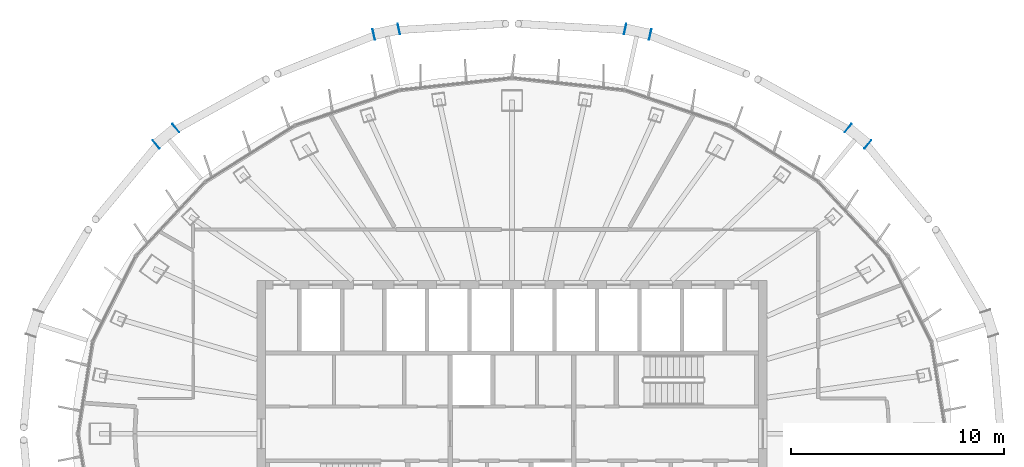
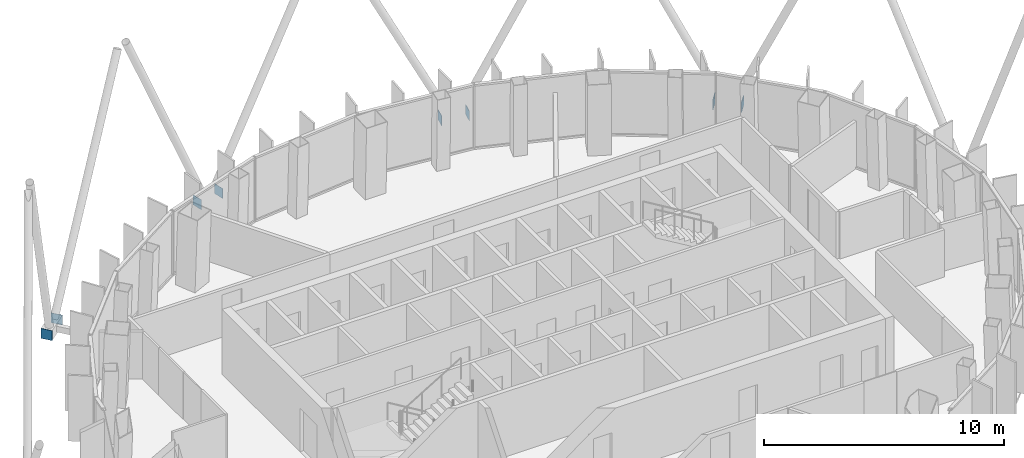
# One storey, part 15 of 18: 8 discrete accessories.
"""IFC4 building model written with IfcOpenShell, lengths in metres."""

import ifcopenshell
import ifcopenshell.guid

model = None  # the IFC model being written
_history = None  # IfcOwnerHistory: only IFC2X3 demands one
_inside = {}  # id of a spatial element -> (the spatial element, [elements in it])
_under = {}  # id of a project, library or spatial element -> (it, [spatial elements below it])
_declared = {}  # id of a project -> (the project, [libraries it declares])
_typed = {}  # id of a type object -> (the type object, [elements of that type])
_made_of = {}  # id of a material, layer set ... -> (it, [elements and type objects made of it])


def new_model(schema):
    """Start an empty IFC model of exactly this schema.

    Asked for "IFC4X3", IfcOpenShell would pick the latest addendum, in which some entities
    have other attributes; the version numbers below select the first issue.
    IFC2X3 requires an IfcOwnerHistory on every rooted entity: one is made here for all.
    """
    global model, _history
    if schema == "IFC4X3":
        model = ifcopenshell.file(schema_version=(4, 3, 0, 0))
    else:
        model = ifcopenshell.file(schema=schema)
    _inside.clear()
    _under.clear()
    _declared.clear()
    _typed.clear()
    _made_of.clear()
    _history = None
    if model.schema == "IFC2X3":
        org = make("IfcOrganization", Name="unknown")
        user = make(
            "IfcPersonAndOrganization",
            ThePerson=make("IfcPerson", FamilyName="unknown"),
            TheOrganization=org,
        )
        app = make(
            "IfcApplication",
            ApplicationDeveloper=org,
            Version="unknown",
            ApplicationFullName="unknown",
            ApplicationIdentifier="unknown",
        )
        _history = make(
            "IfcOwnerHistory",
            OwningUser=user,
            OwningApplication=app,
            ChangeAction="ADDED",
            CreationDate=0,
        )
    return model


def make(cls, **values):
    """One entity of the class cls with the attributes given. An attribute that is None is left unset."""
    return model.create_entity(
        cls, **{name: value for name, value in values.items() if value is not None}
    )


def rooted(cls, **values):
    """An entity with a GlobalId (a new one), such as an element, a storey or a relation."""
    return make(cls, GlobalId=ifcopenshell.guid.new(), OwnerHistory=_history, **values)


def si_unit(unit_type, name, prefix=None):
    """IfcSIUnit, for example si_unit("LENGTHUNIT", "METRE", prefix="MILLI")."""
    return make("IfcSIUnit", UnitType=unit_type, Prefix=prefix, Name=name)


def assignment(units):
    """IfcUnitAssignment: the units of a project."""
    return None if units is None else make("IfcUnitAssignment", Units=units)


def point(xyz):
    """IfcCartesianPoint."""
    return None if xyz is None else make("IfcCartesianPoint", Coordinates=xyz)


def direction(xyz):
    """IfcDirection."""
    return None if xyz is None else make("IfcDirection", DirectionRatios=xyz)


def frame(location, z_axis=None, x_axis=None):
    """IfcAxis2Placement3D, a coordinate frame: its origin and axes. An axis left out is left unset."""
    return make(
        "IfcAxis2Placement3D",
        Location=point(location),
        Axis=direction(z_axis),
        RefDirection=direction(x_axis),
    )


def frame_2d(location, x_axis=None):
    """IfcAxis2Placement2D, a coordinate frame in the plane: its origin and x axis."""
    return make(
        "IfcAxis2Placement2D", Location=point(location), RefDirection=direction(x_axis)
    )


def origin():
    """The frame at (0, 0, 0) with its axes left unset."""
    return frame((0.0, 0.0, 0.0))


def origin_2d():
    """The frame at (0, 0) in the plane with its x axis left unset."""
    return frame_2d((0.0, 0.0))


def place(relative_to, where):
    """IfcLocalPlacement: puts the frame where relative to a parent placement (None: the world)."""
    return make(
        "IfcLocalPlacement", PlacementRelTo=relative_to, RelativePlacement=where
    )


def context(
    kind, dimensions, precision=None, world=None, true_north=None, identifier=None
):
    """IfcGeometricRepresentationContext, for example the 3D "Model" context."""
    return make(
        "IfcGeometricRepresentationContext",
        ContextIdentifier=identifier,
        ContextType=kind,
        CoordinateSpaceDimension=dimensions,
        Precision=precision,
        WorldCoordinateSystem=world,
        TrueNorth=true_north,
    )


def subcontext(parent, identifier, kind, view, scale=None):
    """IfcGeometricRepresentationSubContext, for example "Body" below "Model"."""
    return make(
        "IfcGeometricRepresentationSubContext",
        ContextIdentifier=identifier,
        ContextType=kind,
        ParentContext=parent,
        TargetScale=scale,
        TargetView=view,
    )


def project(units=None, contexts=None):
    """IfcProject with its units and contexts."""
    return rooted(
        "IfcProject",
        Name="project",
        RepresentationContexts=contexts,
        UnitsInContext=assignment(units),
    )


def spatial(cls, under=None, at=None, **own):
    """A site, building, storey or space (cls), placed at a placement, below another one or the project."""
    s = rooted(cls, ObjectPlacement=at, **own)
    if under is not None:
        _under.setdefault(under.id(), (under, []))[1].append(s)
    return s


def profile(cls, at=None, kind="AREA", **sizes):
    """A parametric profile (cls). Its sizes go by their IFC names, for example OverallWidth=200.0."""
    return make(cls, ProfileType=kind, Position=at, **sizes)


def rectangle(**sizes):
    """IfcRectangleProfileDef."""
    return profile("IfcRectangleProfileDef", **sizes)


def extrude(swept, where, along, depth):
    """IfcExtrudedAreaSolid: the profile swept, set in the frame where, extruded along a direction by depth."""
    return make(
        "IfcExtrudedAreaSolid",
        SweptArea=swept,
        Position=where,
        ExtrudedDirection=direction(along),
        Depth=depth,
    )


def shape(context_of_items, identifier, shape_type, items):
    """IfcShapeRepresentation: the items that make up one representation, for example the "Body"."""
    return make(
        "IfcShapeRepresentation",
        ContextOfItems=context_of_items,
        RepresentationIdentifier=identifier,
        RepresentationType=shape_type,
        Items=items,
    )


def material(Name=None, Category=None):
    """IfcMaterial."""
    return make("IfcMaterial", Name=Name, Category=Category)


def layer(
    of_material, thickness, ventilated=None, Name=None, Category=None, Priority=None
):
    """IfcMaterialLayer: one layer of a wall or slab, of a material (None: an air gap)."""
    return make(
        "IfcMaterialLayer",
        Material=of_material,
        LayerThickness=thickness,
        IsVentilated=ventilated,
        Name=Name,
        Category=Category,
        Priority=Priority,
    )


def layer_set(layers, Name=None):
    """IfcMaterialLayerSet."""
    return make("IfcMaterialLayerSet", MaterialLayers=layers, LayerSetName=Name)


def made_of(thing, what):
    """Note that an element or type object is made of a material, layer set ...; save() writes the relation."""
    if what is not None:
        _made_of.setdefault(what.id(), (what, []))[1].append(thing)
    return thing


def type_object(cls, material=None, **own):
    """A type object (cls), such as IfcWallType, which elements share."""
    return made_of(rooted(cls, **own), material)


def element(
    cls,
    number,
    at=None,
    inside=None,
    cuts=None,
    type_object=None,
    material=None,
    context=None,
    identifier="Body",
    shape_type=None,
    held_by="IfcProductDefinitionShape",
    body=None,
    shapes=None,
    **own,
):
    """One element of the class cls, such as IfcWall. Its Tag is "e" and its number.

    at: its placement. inside: the storey or other place that contains it. cuts: it is an
    opening in that element (IfcRelVoidsElement). A single representation is given by context,
    identifier, shape_type and body (its items); several are given by shapes. held_by: the class
    of the entity that holds the representations. save() writes the other relations.
    """
    e = rooted(cls, Tag="e%d" % number, ObjectPlacement=at, **own)
    if body is not None:
        shapes = [shape(context, identifier, shape_type, body)]
    if shapes is not None:
        e.Representation = make(held_by, Representations=shapes)
    if inside is not None:
        _inside.setdefault(inside.id(), (inside, []))[1].append(e)
    if cuts is not None:
        rooted(
            "IfcRelVoidsElement", RelatingBuildingElement=cuts, RelatedOpeningElement=e
        )
    if type_object is not None:
        _typed.setdefault(type_object.id(), (type_object, []))[1].append(e)
    return made_of(e, material)


def aggregate(whole, parts):
    """IfcRelAggregates: a whole, such as a stair, and the parts it consists of."""
    return rooted("IfcRelAggregates", RelatingObject=whole, RelatedObjects=parts)


def save(model, path):
    """Write the relations noted so far, then the file.

    IfcRelAggregates (storeys below a building ...), IfcRelContainedInSpatialStructure (elements
    in a storey), IfcRelDefinesByType, IfcRelAssociatesMaterial and IfcRelDeclares: one each for
    every whole, place, type object, material and project.
    """
    for whole, parts in _under.values():
        aggregate(whole, parts)
    for where, things in _inside.values():
        rooted(
            "IfcRelContainedInSpatialStructure",
            RelatedElements=things,
            RelatingStructure=where,
        )
    for kind, things in _typed.values():
        rooted("IfcRelDefinesByType", RelatedObjects=things, RelatingType=kind)
    for what, things in _made_of.values():
        rooted("IfcRelAssociatesMaterial", RelatedObjects=things, RelatingMaterial=what)
    for by, libraries in _declared.values():
        rooted("IfcRelDeclares", RelatingContext=by, RelatedDefinitions=libraries)
    model.write(path)


model = new_model("IFC4")

# Units and contexts
model_context = context("Model", 3, precision=1e-05, world=origin(), true_north=direction((0.0, 1.0)))
body_context = subcontext(model_context, "Body", "Model", "MODEL_VIEW")
ifc_project = project(units=[si_unit("LENGTHUNIT", "METRE"), si_unit("AREAUNIT", "SQUARE_METRE"), si_unit("VOLUMEUNIT", "CUBIC_METRE"), si_unit("PLANEANGLEUNIT", "RADIAN"), si_unit("MASSUNIT", "GRAM", prefix="KILO")], contexts=[model_context])

# Site, building, storey
site_placement = place(None, origin())
site = spatial("IfcSite", under=ifc_project, at=site_placement, CompositionType="ELEMENT")
building_placement = place(site_placement, origin())
building = spatial("IfcBuilding", under=site, at=building_placement, Name="Siaravel Broadcast Tower", CompositionType="ELEMENT")
storey_placement = place(building_placement, frame((0.0, 0.0, 261.5)))
storey = spatial("IfcBuildingStorey", under=building, at=storey_placement, Name="L64", CompositionType="ELEMENT", Elevation=261.5)

# Discrete accessories
ifc_material = material(Name="Steel S355", Category="steel")
ifc_layer = layer(ifc_material, 0.02001953125)
ifc_layer_set = layer_set([ifc_layer], Name="Steel S355")
discrete_accessory_type = type_object("IfcDiscreteAccessoryType", Name="Steel end plate 20 mm", PredefinedType="USERDEFINED", material=ifc_layer_set)
for number, where, z_axis, x_axis, name in (
    (1, (15.806396484375, 14.37353515625, -0.449951171875), (0.0, 0.0, 1.0), (-0.773604694, 0.633668508, 0.0), "End plate R26 station 09A"),
    (2, (16.739990234375, 13.60888671875, -0.449951171875), (0.0, 0.0, 1.0), (-0.773604694, 0.633668508, 0.0), "End plate R26 station 09B"),
    (3, (5.3212890625, 19.033935546875, -0.449951171875), (0.0, 0.0, 1.0), (-0.976750917, 0.214377344, 0.0), "End plate R26 station 15A"),
    (4, (6.5, 18.775146484375, -0.449951171875), (0.0, 0.0, 1.0), (-0.976750917, 0.214377344, 0.0), "End plate R26 station 15B"),
    (5, (-6.5, 18.775146484375, -0.449951171875), (0.0, 0.0, 1.0), (-0.976750917, -0.214377344, 0.0), "End plate R26 station 21A"),
    (6, (-5.3212890625, 19.033935546875, -0.449951171875), (0.0, 0.0, 1.0), (-0.976750917, -0.214377344, 0.0), "End plate R26 station 21B"),
    (7, (-16.739990234375, 13.60888671875, -0.449951171875), (0.0, 0.0, 1.0), (-0.773604694, -0.633668508, 0.0), "End plate R26 station 27A"),
    (8, (-15.806396484375, 14.37353515625, -0.449951171875), (0.0, 0.0, 1.0), (-0.773604694, -0.633668508, 0.0), "End plate R26 station 27B"),
):
    element("IfcDiscreteAccessory", number, at=place(storey_placement, frame(where, z_axis=z_axis, x_axis=x_axis)), inside=storey, type_object=discrete_accessory_type, Name=name, ObjectType="END PLATE", PredefinedType="USERDEFINED", context=body_context, shape_type="SweptSolid", body=[
        extrude(rectangle(XDim=0.02001953125, YDim=0.5, at=origin_2d()), origin(), (0.0, 0.0, 1.0), 0.5),
    ])

save(model, "model.ifc")
